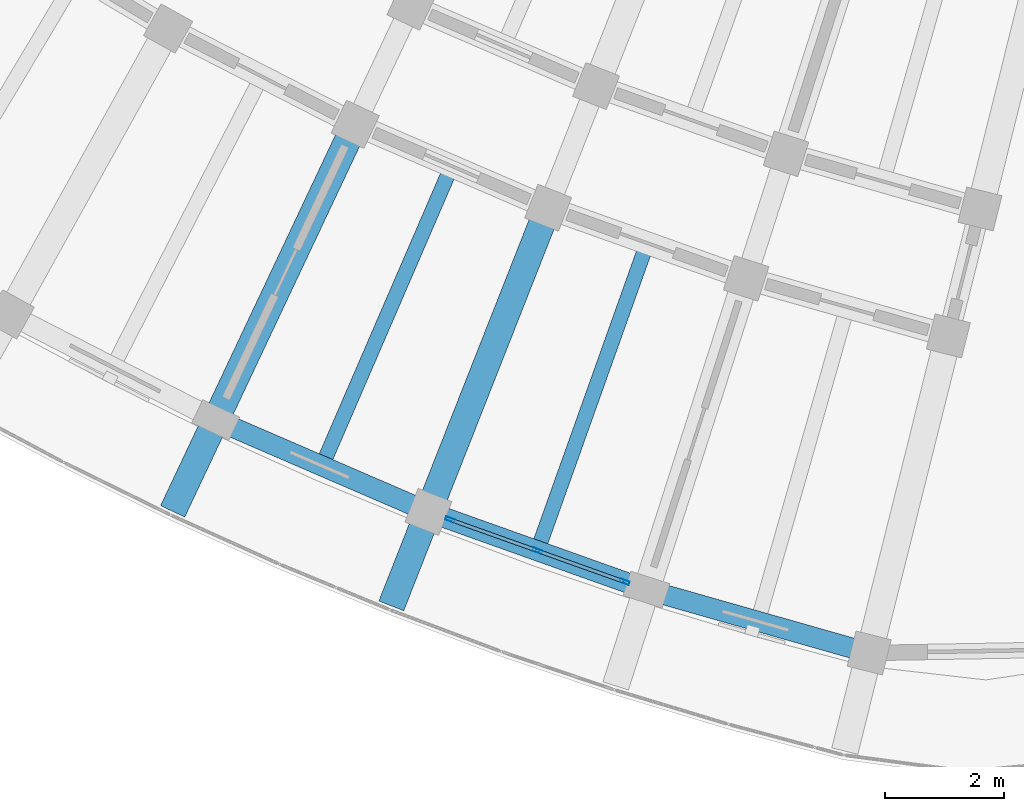
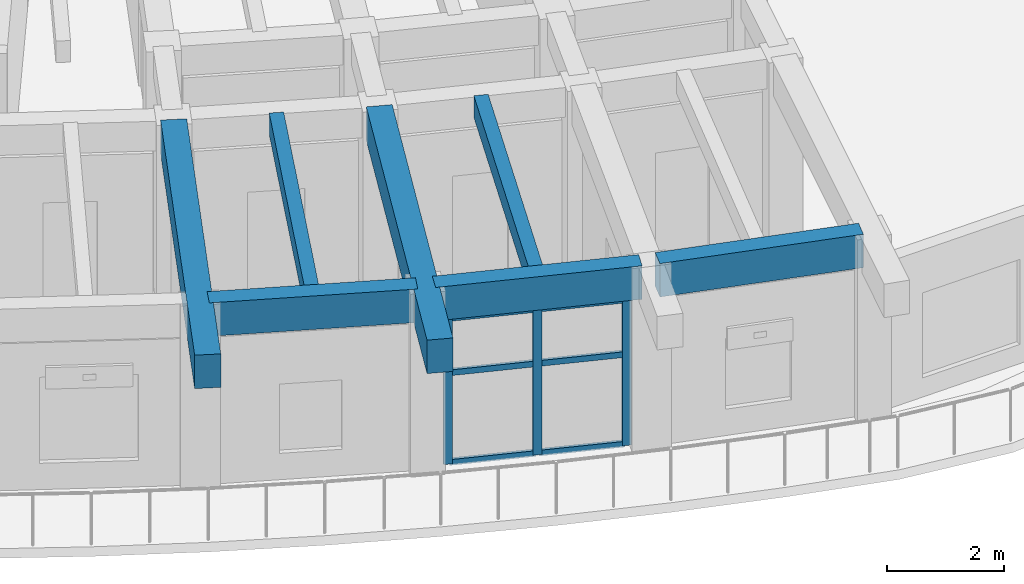
# One storey, part 8 of 128: 9 members, 7 beams, 1 element without a shape of its own.
"""IFC4 building model written with IfcOpenShell, lengths in metres."""

import ifcopenshell
import ifcopenshell.guid

model = None  # the IFC model being written
_history = None  # IfcOwnerHistory: only IFC2X3 demands one
_inside = {}  # id of a spatial element -> (the spatial element, [elements in it])
_under = {}  # id of a project, library or spatial element -> (it, [spatial elements below it])
_declared = {}  # id of a project -> (the project, [libraries it declares])
_typed = {}  # id of a type object -> (the type object, [elements of that type])
_made_of = {}  # id of a material, layer set ... -> (it, [elements and type objects made of it])


def new_model(schema):
    """Start an empty IFC model of exactly this schema.

    Asked for "IFC4X3", IfcOpenShell would pick the latest addendum, in which some entities
    have other attributes; the version numbers below select the first issue.
    IFC2X3 requires an IfcOwnerHistory on every rooted entity: one is made here for all.
    """
    global model, _history
    if schema == "IFC4X3":
        model = ifcopenshell.file(schema_version=(4, 3, 0, 0))
    else:
        model = ifcopenshell.file(schema=schema)
    _inside.clear()
    _under.clear()
    _declared.clear()
    _typed.clear()
    _made_of.clear()
    _history = None
    if model.schema == "IFC2X3":
        org = make("IfcOrganization", Name="unknown")
        user = make(
            "IfcPersonAndOrganization",
            ThePerson=make("IfcPerson", FamilyName="unknown"),
            TheOrganization=org,
        )
        app = make(
            "IfcApplication",
            ApplicationDeveloper=org,
            Version="unknown",
            ApplicationFullName="unknown",
            ApplicationIdentifier="unknown",
        )
        _history = make(
            "IfcOwnerHistory",
            OwningUser=user,
            OwningApplication=app,
            ChangeAction="ADDED",
            CreationDate=0,
        )
    return model


def make(cls, **values):
    """One entity of the class cls with the attributes given. An attribute that is None is left unset."""
    return model.create_entity(
        cls, **{name: value for name, value in values.items() if value is not None}
    )


def rooted(cls, **values):
    """An entity with a GlobalId (a new one), such as an element, a storey or a relation."""
    return make(cls, GlobalId=ifcopenshell.guid.new(), OwnerHistory=_history, **values)


def si_unit(unit_type, name, prefix=None):
    """IfcSIUnit, for example si_unit("LENGTHUNIT", "METRE", prefix="MILLI")."""
    return make("IfcSIUnit", UnitType=unit_type, Prefix=prefix, Name=name)


def assignment(units):
    """IfcUnitAssignment: the units of a project."""
    return None if units is None else make("IfcUnitAssignment", Units=units)


def point(xyz):
    """IfcCartesianPoint."""
    return None if xyz is None else make("IfcCartesianPoint", Coordinates=xyz)


def direction(xyz):
    """IfcDirection."""
    return None if xyz is None else make("IfcDirection", DirectionRatios=xyz)


def frame(location, z_axis=None, x_axis=None):
    """IfcAxis2Placement3D, a coordinate frame: its origin and axes. An axis left out is left unset."""
    return make(
        "IfcAxis2Placement3D",
        Location=point(location),
        Axis=direction(z_axis),
        RefDirection=direction(x_axis),
    )


def frame_2d(location, x_axis=None):
    """IfcAxis2Placement2D, a coordinate frame in the plane: its origin and x axis."""
    return make(
        "IfcAxis2Placement2D", Location=point(location), RefDirection=direction(x_axis)
    )


def origin():
    """The frame at (0, 0, 0) with its axes left unset."""
    return frame((0.0, 0.0, 0.0))


def origin_2d():
    """The frame at (0, 0) in the plane with its x axis left unset."""
    return frame_2d((0.0, 0.0))


def place(relative_to, where):
    """IfcLocalPlacement: puts the frame where relative to a parent placement (None: the world)."""
    return make(
        "IfcLocalPlacement", PlacementRelTo=relative_to, RelativePlacement=where
    )


def context(
    kind, dimensions, precision=None, world=None, true_north=None, identifier=None
):
    """IfcGeometricRepresentationContext, for example the 3D "Model" context."""
    return make(
        "IfcGeometricRepresentationContext",
        ContextIdentifier=identifier,
        ContextType=kind,
        CoordinateSpaceDimension=dimensions,
        Precision=precision,
        WorldCoordinateSystem=world,
        TrueNorth=true_north,
    )


def subcontext(parent, identifier, kind, view, scale=None):
    """IfcGeometricRepresentationSubContext, for example "Body" below "Model"."""
    return make(
        "IfcGeometricRepresentationSubContext",
        ContextIdentifier=identifier,
        ContextType=kind,
        ParentContext=parent,
        TargetScale=scale,
        TargetView=view,
    )


def project(units=None, contexts=None):
    """IfcProject with its units and contexts."""
    return rooted(
        "IfcProject",
        Name="project",
        RepresentationContexts=contexts,
        UnitsInContext=assignment(units),
    )


def spatial(cls, under=None, at=None, **own):
    """A site, building, storey or space (cls), placed at a placement, below another one or the project."""
    s = rooted(cls, ObjectPlacement=at, **own)
    if under is not None:
        _under.setdefault(under.id(), (under, []))[1].append(s)
    return s


def profile(cls, at=None, kind="AREA", **sizes):
    """A parametric profile (cls). Its sizes go by their IFC names, for example OverallWidth=200.0."""
    return make(cls, ProfileType=kind, Position=at, **sizes)


def rectangle(**sizes):
    """IfcRectangleProfileDef."""
    return profile("IfcRectangleProfileDef", **sizes)


def hollow_rectangle(**sizes):
    """IfcRectangleHollowProfileDef."""
    return profile("IfcRectangleHollowProfileDef", **sizes)


def extrude(swept, where, along, depth):
    """IfcExtrudedAreaSolid: the profile swept, set in the frame where, extruded along a direction by depth."""
    return make(
        "IfcExtrudedAreaSolid",
        SweptArea=swept,
        Position=where,
        ExtrudedDirection=direction(along),
        Depth=depth,
    )


def shape(context_of_items, identifier, shape_type, items):
    """IfcShapeRepresentation: the items that make up one representation, for example the "Body"."""
    return make(
        "IfcShapeRepresentation",
        ContextOfItems=context_of_items,
        RepresentationIdentifier=identifier,
        RepresentationType=shape_type,
        Items=items,
    )


def material(Name=None, Category=None):
    """IfcMaterial."""
    return make("IfcMaterial", Name=Name, Category=Category)


def material_profile(
    of_material, cross_section, Name=None, Category=None, Priority=None
):
    """IfcMaterialProfile: a cross section and its material."""
    return make(
        "IfcMaterialProfile",
        Name=Name,
        Material=of_material,
        Profile=cross_section,
        Priority=Priority,
        Category=Category,
    )


def profile_set(profiles, Name=None, composite=None):
    """IfcMaterialProfileSet."""
    return make(
        "IfcMaterialProfileSet",
        Name=Name,
        MaterialProfiles=profiles,
        CompositeProfile=composite,
    )


def made_of(thing, what):
    """Note that an element or type object is made of a material, layer set ...; save() writes the relation."""
    if what is not None:
        _made_of.setdefault(what.id(), (what, []))[1].append(thing)
    return thing


def type_object(cls, material=None, **own):
    """A type object (cls), such as IfcWallType, which elements share."""
    return made_of(rooted(cls, **own), material)


def element(
    cls,
    number,
    at=None,
    inside=None,
    cuts=None,
    type_object=None,
    material=None,
    context=None,
    identifier="Body",
    shape_type=None,
    held_by="IfcProductDefinitionShape",
    body=None,
    shapes=None,
    **own,
):
    """One element of the class cls, such as IfcWall. Its Tag is "e" and its number.

    at: its placement. inside: the storey or other place that contains it. cuts: it is an
    opening in that element (IfcRelVoidsElement). A single representation is given by context,
    identifier, shape_type and body (its items); several are given by shapes. held_by: the class
    of the entity that holds the representations. save() writes the other relations.
    """
    e = rooted(cls, Tag="e%d" % number, ObjectPlacement=at, **own)
    if body is not None:
        shapes = [shape(context, identifier, shape_type, body)]
    if shapes is not None:
        e.Representation = make(held_by, Representations=shapes)
    if inside is not None:
        _inside.setdefault(inside.id(), (inside, []))[1].append(e)
    if cuts is not None:
        rooted(
            "IfcRelVoidsElement", RelatingBuildingElement=cuts, RelatedOpeningElement=e
        )
    if type_object is not None:
        _typed.setdefault(type_object.id(), (type_object, []))[1].append(e)
    return made_of(e, material)


def aggregate(whole, parts):
    """IfcRelAggregates: a whole, such as a stair, and the parts it consists of."""
    return rooted("IfcRelAggregates", RelatingObject=whole, RelatedObjects=parts)


def save(model, path):
    """Write the relations noted so far, then the file.

    IfcRelAggregates (storeys below a building ...), IfcRelContainedInSpatialStructure (elements
    in a storey), IfcRelDefinesByType, IfcRelAssociatesMaterial and IfcRelDeclares: one each for
    every whole, place, type object, material and project.
    """
    for whole, parts in _under.values():
        aggregate(whole, parts)
    for where, things in _inside.values():
        rooted(
            "IfcRelContainedInSpatialStructure",
            RelatedElements=things,
            RelatingStructure=where,
        )
    for kind, things in _typed.values():
        rooted("IfcRelDefinesByType", RelatedObjects=things, RelatingType=kind)
    for what, things in _made_of.values():
        rooted("IfcRelAssociatesMaterial", RelatedObjects=things, RelatingMaterial=what)
    for by, libraries in _declared.values():
        rooted("IfcRelDeclares", RelatingContext=by, RelatedDefinitions=libraries)
    model.write(path)


model = new_model("IFC4")

# Units and contexts
model_context = context("Model", 3, precision=1e-05, world=origin(), true_north=direction((0.0, 1.0)))
body_context = subcontext(model_context, "Body", "Model", "MODEL_VIEW")
ifc_project = project(units=[si_unit("LENGTHUNIT", "METRE"), si_unit("AREAUNIT", "SQUARE_METRE"), si_unit("VOLUMEUNIT", "CUBIC_METRE"), si_unit("PLANEANGLEUNIT", "RADIAN"), si_unit("MASSUNIT", "GRAM", prefix="KILO")], contexts=[model_context])

# Site, building, storey
site_placement = place(None, origin())
site = spatial("IfcSite", under=ifc_project, at=site_placement, CompositionType="ELEMENT")
building_placement = place(site_placement, origin())
building = spatial("IfcBuilding", under=site, at=building_placement, Name="Tanwirah Colonnade Gardens", CompositionType="ELEMENT")
storey_placement = place(building_placement, frame((0.0, 0.0, 4.760009765625)))
storey = spatial("IfcBuildingStorey", under=building, at=storey_placement, Name="L01", CompositionType="ELEMENT", Elevation=4.760009765625)

# Beams
ifc_material_1 = material(Name="Precast concrete C45/55", Category="concrete")
ifc_material_profile_1 = material_profile(ifc_material_1, rectangle(XDim=0.449951171875, YDim=0.699951171875, at=origin_2d()), Name="PC-BM 450x700")
ifc_profile_set_1 = profile_set([ifc_material_profile_1], Name="Precast concrete C45/55")
beam_type_1 = type_object("IfcBeamType", Name="BM-PC450", PredefinedType="BEAM", material=ifc_profile_set_1)
for number, where, z_axis, x_axis, name in (
    (1, (41.8798828125, 15.478515625, 3.47509765625), (-0.426567365945, -0.904455793453, 0.0), (0.904455793453, -0.426567365945, 0.0), "Block C L01 Outer Radial Precast Girder 13"),
    (2, (45.1357421875, 14.0712890625, 3.47509765625), (-0.366525426804, -0.930408034953, 0.0), (0.930408034953, -0.366525426804, 0.0), "Block C L01 Outer Radial Precast Girder 14"),
):
    element("IfcBeam", number, at=place(storey_placement, frame(where, z_axis=z_axis, x_axis=x_axis)), inside=storey, type_object=beam_type_1, Name=name, PredefinedType="BEAM", context=body_context, shape_type="SweptSolid", body=[
        extrude(rectangle(XDim=0.449951171875, YDim=0.699951171875, at=origin_2d()), origin(), (0.0, 0.0, 1.0), 7.050048828125),
    ])

# Curtain wall, members
ifc_material_2 = material(Name="Bronze-anodised aluminium and solar-control low-E glass", Category="aluminium")
curtain_wall_type = type_object("IfcCurtainWallType", Name="CW-LOB", PredefinedType="NOTDEFINED", material=ifc_material_2)
curtain_wall_placement = place(storey_placement, origin())
curtain_wall = element("IfcCurtainWall", 3, at=curtain_wall_placement, inside=storey, type_object=curtain_wall_type, Name="Curtain Wall CW-C-L01-OUT-14", PredefinedType="NOTDEFINED")
ifc_material_3 = material(Name="Bronze-anodised aluminium", Category="aluminium")
ifc_material_profile_2 = material_profile(ifc_material_3, hollow_rectangle(XDim=0.06005859375, YDim=0.159912109375, WallThickness=0.00390625, at=origin_2d()), Name="CW-MUL 60x160x4")
ifc_profile_set_2 = profile_set([ifc_material_profile_2], Name="Bronze-anodised aluminium")
member_type_1 = type_object("IfcMemberType", Name="CWM-60x160", PredefinedType="MULLION", material=ifc_profile_set_2)
member_1_placement = place(storey_placement, frame((43.542236328125, 8.962646484375, 0.0), z_axis=(0.0, 0.0, 1.0), x_axis=(0.335862164333, 0.941911145793, 0.0)))
member_1 = element("IfcMember", 4, at=member_1_placement, type_object=member_type_1, Name="CW-LOB mullion 1", PredefinedType="MULLION", context=body_context, shape_type="SweptSolid", body=[
    extrude(hollow_rectangle(XDim=0.06005859375, YDim=0.159912109375, WallThickness=0.00390625, at=origin_2d()), origin(), (0.0, 0.0, 1.0), 3.074951171875),
])
member_2_placement = place(storey_placement, frame((45.010009765625, 8.439208984375, 0.0), z_axis=(0.0, 0.0, 1.0), x_axis=(0.335862164333, 0.941911145793, 0.0)))
member_2 = element("IfcMember", 5, at=member_2_placement, type_object=member_type_1, Name="CW-LOB mullion 2", PredefinedType="MULLION", context=body_context, shape_type="SweptSolid", body=[
    extrude(hollow_rectangle(XDim=0.06005859375, YDim=0.159912109375, WallThickness=0.00390625, at=origin_2d()), origin(), (0.0, 0.0, 1.0), 3.074951171875),
])
member_3_placement = place(storey_placement, frame((46.47802734375, 7.915771484375, 0.0), z_axis=(0.0, 0.0, 1.0), x_axis=(0.335862164333, 0.941911145793, 0.0)))
member_3 = element("IfcMember", 6, at=member_3_placement, type_object=member_type_1, Name="CW-LOB mullion 3", PredefinedType="MULLION", context=body_context, shape_type="SweptSolid", body=[
    extrude(hollow_rectangle(XDim=0.06005859375, YDim=0.159912109375, WallThickness=0.00390625, at=origin_2d()), origin(), (0.0, 0.0, 1.0), 3.074951171875),
])
ifc_material_profile_3 = material_profile(ifc_material_3, hollow_rectangle(XDim=0.06005859375, YDim=0.1201171875, WallThickness=0.00390625, at=origin_2d()), Name="CW-TRN 60x120x4")
ifc_profile_set_3 = profile_set([ifc_material_profile_3], Name="Bronze-anodised aluminium")
member_type_2 = type_object("IfcMemberType", Name="CWT-60x120", PredefinedType="USERDEFINED", material=ifc_profile_set_3)
member_4_placement = place(storey_placement, frame((43.570556640625, 8.95263671875, 0.030029296875), z_axis=(0.941878220622, -0.335954487272, 0.0), x_axis=(0.335954487272, 0.941878220622, 0.0)))
member_4 = element("IfcMember", 7, at=member_4_placement, type_object=member_type_2, Name="CW-LOB transom 1.1", ObjectType="TRANSOM", PredefinedType="USERDEFINED", context=body_context, shape_type="SweptSolid", body=[
    extrude(hollow_rectangle(XDim=0.06005859375, YDim=0.1201171875, WallThickness=0.00390625, at=origin_2d()), origin(), (0.0, 0.0, 1.0), 1.49853515625),
])
member_5_placement = place(storey_placement, frame((43.570556640625, 8.95263671875, 1.906494140625), z_axis=(0.941878220622, -0.335954487272, 0.0), x_axis=(0.335954487272, 0.941878220622, 0.0)))
member_5 = element("IfcMember", 8, at=member_5_placement, type_object=member_type_2, Name="CW-LOB transom 1.2", ObjectType="TRANSOM", PredefinedType="USERDEFINED", context=body_context, shape_type="SweptSolid", body=[
    extrude(hollow_rectangle(XDim=0.06005859375, YDim=0.1201171875, WallThickness=0.00390625, at=origin_2d()), origin(), (0.0, 0.0, 1.0), 1.49853515625),
])
member_6_placement = place(storey_placement, frame((43.570556640625, 8.95263671875, 3.044921875), z_axis=(0.941878220622, -0.335954487272, 0.0), x_axis=(0.335954487272, 0.941878220622, 0.0)))
member_6 = element("IfcMember", 9, at=member_6_placement, type_object=member_type_2, Name="CW-LOB transom 1.3", ObjectType="TRANSOM", PredefinedType="USERDEFINED", context=body_context, shape_type="SweptSolid", body=[
    extrude(hollow_rectangle(XDim=0.06005859375, YDim=0.1201171875, WallThickness=0.00390625, at=origin_2d()), origin(), (0.0, 0.0, 1.0), 1.49853515625),
])
member_7_placement = place(storey_placement, frame((45.038330078125, 8.42919921875, 0.030029296875), z_axis=(0.941878220622, -0.335954487272, 0.0), x_axis=(0.335954487272, 0.941878220622, 0.0)))
member_7 = element("IfcMember", 10, at=member_7_placement, type_object=member_type_2, Name="CW-LOB transom 2.1", ObjectType="TRANSOM", PredefinedType="USERDEFINED", context=body_context, shape_type="SweptSolid", body=[
    extrude(hollow_rectangle(XDim=0.06005859375, YDim=0.1201171875, WallThickness=0.00390625, at=origin_2d()), origin(), (0.0, 0.0, 1.0), 1.49853515625),
])
member_8_placement = place(storey_placement, frame((45.038330078125, 8.42919921875, 1.906494140625), z_axis=(0.941878220622, -0.335954487272, 0.0), x_axis=(0.335954487272, 0.941878220622, 0.0)))
member_8 = element("IfcMember", 11, at=member_8_placement, type_object=member_type_2, Name="CW-LOB transom 2.2", ObjectType="TRANSOM", PredefinedType="USERDEFINED", context=body_context, shape_type="SweptSolid", body=[
    extrude(hollow_rectangle(XDim=0.06005859375, YDim=0.1201171875, WallThickness=0.00390625, at=origin_2d()), origin(), (0.0, 0.0, 1.0), 1.49853515625),
])
member_9_placement = place(storey_placement, frame((45.038330078125, 8.42919921875, 3.044921875), z_axis=(0.941878220622, -0.335954487272, 0.0), x_axis=(0.335954487272, 0.941878220622, 0.0)))
member_9 = element("IfcMember", 12, at=member_9_placement, type_object=member_type_2, Name="CW-LOB transom 2.3", ObjectType="TRANSOM", PredefinedType="USERDEFINED", context=body_context, shape_type="SweptSolid", body=[
    extrude(hollow_rectangle(XDim=0.06005859375, YDim=0.1201171875, WallThickness=0.00390625, at=origin_2d()), origin(), (0.0, 0.0, 1.0), 1.49853515625),
])
aggregate(curtain_wall, [member_1, member_2, member_3, member_4, member_5, member_6, member_7, member_8, member_9])

# Beams
ifc_material_4 = material(Name="Precast concrete C40/50", Category="concrete")
ifc_material_profile_4 = material_profile(ifc_material_4, rectangle(XDim=0.25, YDim=0.449951171875, at=origin_2d()), Name="PC-JST 250x450")
ifc_profile_set_4 = profile_set([ifc_material_profile_4], Name="Precast concrete C40/50")
beam_type_2 = type_object("IfcBeamType", Name="JST-PC250", PredefinedType="JOIST", material=ifc_profile_set_4)
for number, where, z_axis, x_axis, name in (
    (13, (43.50830078125, 14.77587890625, 3.60009765625), (-0.396746282, -0.917928312952, 0.0), (0.917928312952, -0.396746282, 0.0), "Block C L01 Precast Floor Joist 13"),
    (14, (46.806396484375, 13.4765625, 3.60009765625), (-0.335862957845, -0.941910862846, 0.0), (0.941910862846, -0.335862957845, 0.0), "Block C L01 Precast Floor Joist 14"),
):
    element("IfcBeam", number, at=place(storey_placement, frame(where, z_axis=z_axis, x_axis=x_axis)), inside=storey, type_object=beam_type_2, Name=name, PredefinedType="JOIST", context=body_context, shape_type="SweptSolid", body=[
        extrude(rectangle(XDim=0.25, YDim=0.449951171875, at=origin_2d()), origin(), (0.0, 0.0, 1.0), 5.260009765625),
    ])
ifc_material_profile_5 = material_profile(ifc_material_1, rectangle(XDim=0.340087890625, YDim=0.699951171875, at=origin_2d()), Name="PC-SP 340x700")
ifc_profile_set_5 = profile_set([ifc_material_profile_5], Name="Precast concrete C45/55")
beam_type_3 = type_object("IfcBeamType", Name="SP-PC340", PredefinedType="SPANDREL", material=ifc_profile_set_5)
beam_placement = place(storey_placement, frame((39.735595703125, 10.580078125, 3.47509765625), z_axis=(0.917925861765, -0.396751953118, 0.0), x_axis=(0.396751953118, 0.917925861765, 0.0)))
element("IfcBeam", 15, at=beam_placement, inside=storey, type_object=beam_type_3, Name="Block C L01 Circumferential Beam 13-R3", PredefinedType="SPANDREL", context=body_context, shape_type="SweptSolid", body=[
    extrude(rectangle(XDim=0.340087890625, YDim=0.699951171875, at=origin_2d()), origin(), (0.0, 0.0, 1.0), 3.5966796875),
])
for number, where, z_axis, x_axis, name in (
    (16, (43.316162109375, 9.043212890625, 3.47509765625), (0.941915315404, -0.335850470607, 0.0), (0.335850470607, 0.941915315404, 0.0), "Block C L01 Circumferential Beam 14-R3"),
    (17, (46.989501953125, 7.743896484375, 3.47509765625), (0.96186131547, -0.273537583893, 0.0), (0.273537583893, 0.96186131547, 0.0), "Block C L01 Circumferential Beam 15-R3"),
):
    element("IfcBeam", number, at=place(storey_placement, frame(where, z_axis=z_axis, x_axis=x_axis)), inside=storey, type_object=beam_type_3, Name=name, PredefinedType="SPANDREL", context=body_context, shape_type="SweptSolid", body=[
        extrude(rectangle(XDim=0.340087890625, YDim=0.699951171875, at=origin_2d()), origin(), (0.0, 0.0, 1.0), 3.596923828125),
    ])

save(model, "model.ifc")
